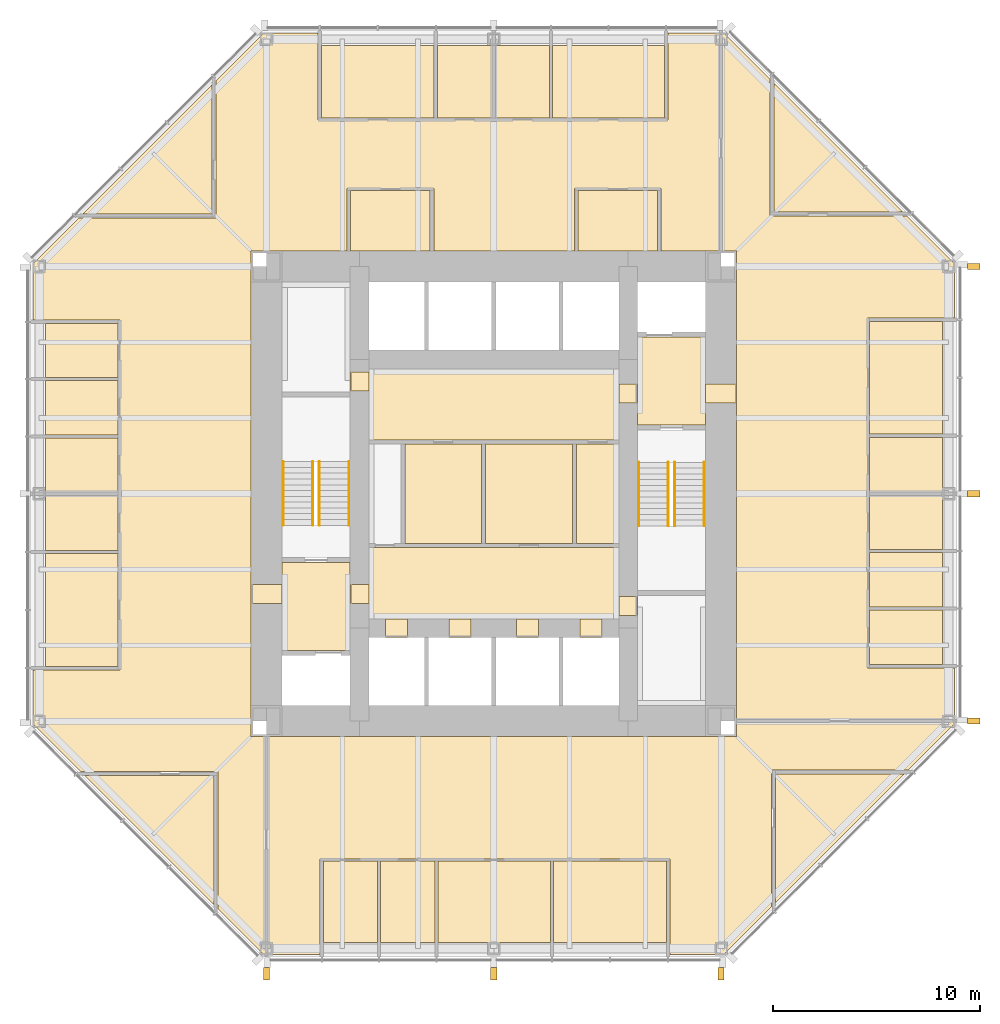
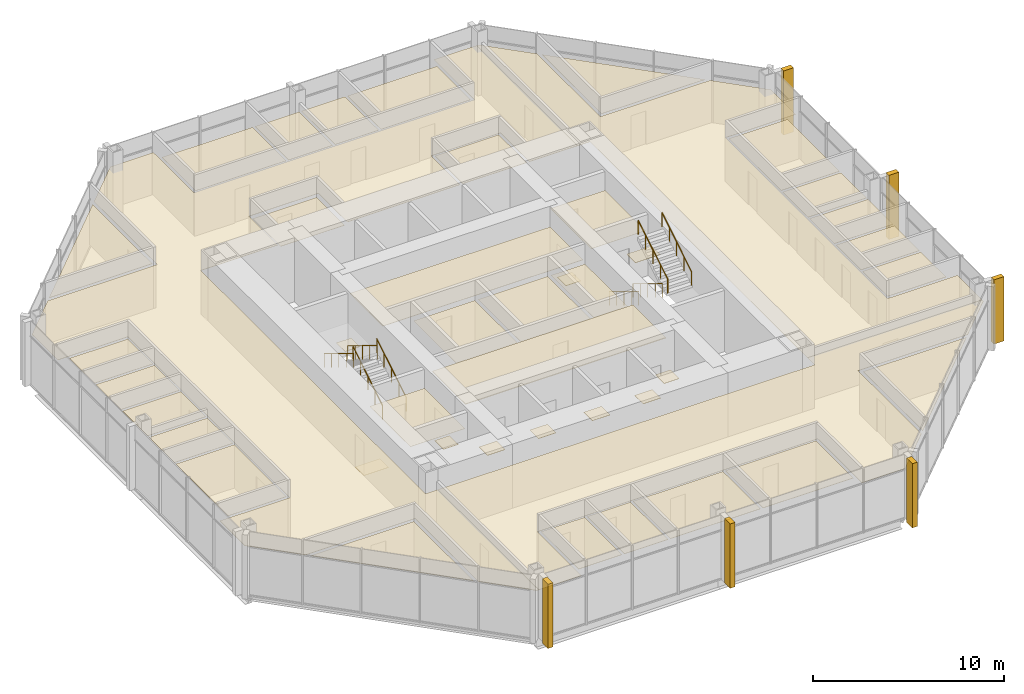
# One storey, part 12 of 12: 50 coverings, 8 railings.
"""IFC4 building model written with IfcOpenShell, lengths in metres."""

import ifcopenshell
import ifcopenshell.guid

model = None  # the IFC model being written
_history = None  # IfcOwnerHistory: only IFC2X3 demands one
_inside = {}  # id of a spatial element -> (the spatial element, [elements in it])
_under = {}  # id of a project, library or spatial element -> (it, [spatial elements below it])
_declared = {}  # id of a project -> (the project, [libraries it declares])
_typed = {}  # id of a type object -> (the type object, [elements of that type])
_made_of = {}  # id of a material, layer set ... -> (it, [elements and type objects made of it])


def new_model(schema):
    """Start an empty IFC model of exactly this schema.

    Asked for "IFC4X3", IfcOpenShell would pick the latest addendum, in which some entities
    have other attributes; the version numbers below select the first issue.
    IFC2X3 requires an IfcOwnerHistory on every rooted entity: one is made here for all.
    """
    global model, _history
    if schema == "IFC4X3":
        model = ifcopenshell.file(schema_version=(4, 3, 0, 0))
    else:
        model = ifcopenshell.file(schema=schema)
    _inside.clear()
    _under.clear()
    _declared.clear()
    _typed.clear()
    _made_of.clear()
    _history = None
    if model.schema == "IFC2X3":
        org = make("IfcOrganization", Name="unknown")
        user = make(
            "IfcPersonAndOrganization",
            ThePerson=make("IfcPerson", FamilyName="unknown"),
            TheOrganization=org,
        )
        app = make(
            "IfcApplication",
            ApplicationDeveloper=org,
            Version="unknown",
            ApplicationFullName="unknown",
            ApplicationIdentifier="unknown",
        )
        _history = make(
            "IfcOwnerHistory",
            OwningUser=user,
            OwningApplication=app,
            ChangeAction="ADDED",
            CreationDate=0,
        )
    return model


def make(cls, **values):
    """One entity of the class cls with the attributes given. An attribute that is None is left unset."""
    return model.create_entity(
        cls, **{name: value for name, value in values.items() if value is not None}
    )


def rooted(cls, **values):
    """An entity with a GlobalId (a new one), such as an element, a storey or a relation."""
    return make(cls, GlobalId=ifcopenshell.guid.new(), OwnerHistory=_history, **values)


def si_unit(unit_type, name, prefix=None):
    """IfcSIUnit, for example si_unit("LENGTHUNIT", "METRE", prefix="MILLI")."""
    return make("IfcSIUnit", UnitType=unit_type, Prefix=prefix, Name=name)


def assignment(units):
    """IfcUnitAssignment: the units of a project."""
    return None if units is None else make("IfcUnitAssignment", Units=units)


def point(xyz):
    """IfcCartesianPoint."""
    return None if xyz is None else make("IfcCartesianPoint", Coordinates=xyz)


def direction(xyz):
    """IfcDirection."""
    return None if xyz is None else make("IfcDirection", DirectionRatios=xyz)


def frame(location, z_axis=None, x_axis=None):
    """IfcAxis2Placement3D, a coordinate frame: its origin and axes. An axis left out is left unset."""
    return make(
        "IfcAxis2Placement3D",
        Location=point(location),
        Axis=direction(z_axis),
        RefDirection=direction(x_axis),
    )


def frame_2d(location, x_axis=None):
    """IfcAxis2Placement2D, a coordinate frame in the plane: its origin and x axis."""
    return make(
        "IfcAxis2Placement2D", Location=point(location), RefDirection=direction(x_axis)
    )


def origin():
    """The frame at (0, 0, 0) with its axes left unset."""
    return frame((0.0, 0.0, 0.0))


def origin_2d():
    """The frame at (0, 0) in the plane with its x axis left unset."""
    return frame_2d((0.0, 0.0))


def place(relative_to, where):
    """IfcLocalPlacement: puts the frame where relative to a parent placement (None: the world)."""
    return make(
        "IfcLocalPlacement", PlacementRelTo=relative_to, RelativePlacement=where
    )


def context(
    kind, dimensions, precision=None, world=None, true_north=None, identifier=None
):
    """IfcGeometricRepresentationContext, for example the 3D "Model" context."""
    return make(
        "IfcGeometricRepresentationContext",
        ContextIdentifier=identifier,
        ContextType=kind,
        CoordinateSpaceDimension=dimensions,
        Precision=precision,
        WorldCoordinateSystem=world,
        TrueNorth=true_north,
    )


def subcontext(parent, identifier, kind, view, scale=None):
    """IfcGeometricRepresentationSubContext, for example "Body" below "Model"."""
    return make(
        "IfcGeometricRepresentationSubContext",
        ContextIdentifier=identifier,
        ContextType=kind,
        ParentContext=parent,
        TargetScale=scale,
        TargetView=view,
    )


def project(units=None, contexts=None):
    """IfcProject with its units and contexts."""
    return rooted(
        "IfcProject",
        Name="project",
        RepresentationContexts=contexts,
        UnitsInContext=assignment(units),
    )


def spatial(cls, under=None, at=None, **own):
    """A site, building, storey or space (cls), placed at a placement, below another one or the project."""
    s = rooted(cls, ObjectPlacement=at, **own)
    if under is not None:
        _under.setdefault(under.id(), (under, []))[1].append(s)
    return s


def polyline(points):
    """IfcPolyline through the points."""
    return make("IfcPolyline", Points=[point(p) for p in points])


def profile(cls, at=None, kind="AREA", **sizes):
    """A parametric profile (cls). Its sizes go by their IFC names, for example OverallWidth=200.0."""
    return make(cls, ProfileType=kind, Position=at, **sizes)


def rectangle(**sizes):
    """IfcRectangleProfileDef."""
    return profile("IfcRectangleProfileDef", **sizes)


def circle(**sizes):
    """IfcCircleProfileDef."""
    return profile("IfcCircleProfileDef", **sizes)


def outline(outer, holes=None, kind="AREA"):
    """IfcArbitraryClosedProfileDef: a profile drawn as a closed curve; with holes, ...WithVoids."""
    if holes is None:
        return make("IfcArbitraryClosedProfileDef", ProfileType=kind, OuterCurve=outer)
    return make(
        "IfcArbitraryProfileDefWithVoids",
        ProfileType=kind,
        OuterCurve=outer,
        InnerCurves=holes,
    )


def extrude(swept, where, along, depth):
    """IfcExtrudedAreaSolid: the profile swept, set in the frame where, extruded along a direction by depth."""
    return make(
        "IfcExtrudedAreaSolid",
        SweptArea=swept,
        Position=where,
        ExtrudedDirection=direction(along),
        Depth=depth,
    )


def shape(context_of_items, identifier, shape_type, items):
    """IfcShapeRepresentation: the items that make up one representation, for example the "Body"."""
    return make(
        "IfcShapeRepresentation",
        ContextOfItems=context_of_items,
        RepresentationIdentifier=identifier,
        RepresentationType=shape_type,
        Items=items,
    )


def material(Name=None, Category=None):
    """IfcMaterial."""
    return make("IfcMaterial", Name=Name, Category=Category)


def layer(
    of_material, thickness, ventilated=None, Name=None, Category=None, Priority=None
):
    """IfcMaterialLayer: one layer of a wall or slab, of a material (None: an air gap)."""
    return make(
        "IfcMaterialLayer",
        Material=of_material,
        LayerThickness=thickness,
        IsVentilated=ventilated,
        Name=Name,
        Category=Category,
        Priority=Priority,
    )


def layer_set(layers, Name=None):
    """IfcMaterialLayerSet."""
    return make("IfcMaterialLayerSet", MaterialLayers=layers, LayerSetName=Name)


def made_of(thing, what):
    """Note that an element or type object is made of a material, layer set ...; save() writes the relation."""
    if what is not None:
        _made_of.setdefault(what.id(), (what, []))[1].append(thing)
    return thing


def type_object(cls, material=None, **own):
    """A type object (cls), such as IfcWallType, which elements share."""
    return made_of(rooted(cls, **own), material)


def element(
    cls,
    number,
    at=None,
    inside=None,
    cuts=None,
    type_object=None,
    material=None,
    context=None,
    identifier="Body",
    shape_type=None,
    held_by="IfcProductDefinitionShape",
    body=None,
    shapes=None,
    **own,
):
    """One element of the class cls, such as IfcWall. Its Tag is "e" and its number.

    at: its placement. inside: the storey or other place that contains it. cuts: it is an
    opening in that element (IfcRelVoidsElement). A single representation is given by context,
    identifier, shape_type and body (its items); several are given by shapes. held_by: the class
    of the entity that holds the representations. save() writes the other relations.
    """
    e = rooted(cls, Tag="e%d" % number, ObjectPlacement=at, **own)
    if body is not None:
        shapes = [shape(context, identifier, shape_type, body)]
    if shapes is not None:
        e.Representation = make(held_by, Representations=shapes)
    if inside is not None:
        _inside.setdefault(inside.id(), (inside, []))[1].append(e)
    if cuts is not None:
        rooted(
            "IfcRelVoidsElement", RelatingBuildingElement=cuts, RelatedOpeningElement=e
        )
    if type_object is not None:
        _typed.setdefault(type_object.id(), (type_object, []))[1].append(e)
    return made_of(e, material)


def aggregate(whole, parts):
    """IfcRelAggregates: a whole, such as a stair, and the parts it consists of."""
    return rooted("IfcRelAggregates", RelatingObject=whole, RelatedObjects=parts)


def save(model, path):
    """Write the relations noted so far, then the file.

    IfcRelAggregates (storeys below a building ...), IfcRelContainedInSpatialStructure (elements
    in a storey), IfcRelDefinesByType, IfcRelAssociatesMaterial and IfcRelDeclares: one each for
    every whole, place, type object, material and project.
    """
    for whole, parts in _under.values():
        aggregate(whole, parts)
    for where, things in _inside.values():
        rooted(
            "IfcRelContainedInSpatialStructure",
            RelatedElements=things,
            RelatingStructure=where,
        )
    for kind, things in _typed.values():
        rooted("IfcRelDefinesByType", RelatedObjects=things, RelatingType=kind)
    for what, things in _made_of.values():
        rooted("IfcRelAssociatesMaterial", RelatedObjects=things, RelatingMaterial=what)
    for by, libraries in _declared.values():
        rooted("IfcRelDeclares", RelatingContext=by, RelatedDefinitions=libraries)
    model.write(path)


model = new_model("IFC4")

# Units and contexts
model_context = context("Model", 3, precision=1e-05, world=origin(), true_north=direction((0.0, 1.0)))
body_context = subcontext(model_context, "Body", "Model", "MODEL_VIEW")
ifc_project = project(units=[si_unit("LENGTHUNIT", "METRE"), si_unit("AREAUNIT", "SQUARE_METRE"), si_unit("VOLUMEUNIT", "CUBIC_METRE"), si_unit("PLANEANGLEUNIT", "RADIAN"), si_unit("MASSUNIT", "GRAM", prefix="KILO")], contexts=[model_context])

# Site, building, storey
site_placement = place(None, origin())
site = spatial("IfcSite", under=ifc_project, at=site_placement, CompositionType="ELEMENT")
building_placement = place(site_placement, origin())
building = spatial("IfcBuilding", under=site, at=building_placement, Name="Trevanion Tower", CompositionType="ELEMENT")
storey_placement = place(building_placement, frame((0.0, 0.0, 162.300048828125)))
storey = spatial("IfcBuildingStorey", under=building, at=storey_placement, Name="L38", CompositionType="ELEMENT", Elevation=162.300048828125)

# Coverings
ifc_material_1 = material(Name="Fibrous plaster coffers on suspended steel grid", Category="steel")
ifc_layer_1 = layer(ifc_material_1, 0.050048828125)
ifc_layer_set_1 = layer_set([ifc_layer_1], Name="CL1 coffered fibrous plaster ceiling 50")
covering_type_1 = type_object("IfcCoveringType", Name="CL1 coffered fibrous plaster ceiling 50", PredefinedType="CEILING", material=ifc_layer_set_1)
covering_1_placement = place(storey_placement, frame((0.0, 0.0, 3.0)))
element("IfcCovering", 1, at=covering_1_placement, inside=storey, type_object=covering_type_1, Name="CL1 L38-LBS", PredefinedType="CEILING", context=body_context, shape_type="SweptSolid", body=[
    extrude(outline(polyline([(6.050048828125, -6.050048828125), (6.050048828125, -2.60009765625), (-6.050048828125, -2.60009765625), (-6.050048828125, -6.050048828125), (6.050048828125, -6.050048828125)])), origin(), (0.0, 0.0, 1.0), 0.050048828125),
])
ifc_material_2 = material(Name="Mineral fibre acoustic tiles in exposed grid", Category="mineral fibre")
ifc_layer_2 = layer(ifc_material_2, 0.02001953125)
ifc_layer_set_2 = layer_set([ifc_layer_2], Name="CL2 acoustic tile ceiling 20")
covering_type_2 = type_object("IfcCoveringType", Name="CL2 acoustic tile ceiling 20", PredefinedType="CEILING", material=ifc_layer_set_2)
covering_2_placement = place(storey_placement, frame((0.0, 0.0, 2.75)))
element("IfcCovering", 2, at=covering_2_placement, inside=storey, type_object=covering_type_2, Name="CL2 L38-LBN", PredefinedType="CEILING", context=body_context, shape_type="SweptSolid", body=[
    extrude(outline(polyline([(6.050048828125, 2.60009765625), (6.050048828125, 6.050048828125), (-6.050048828125, 6.050048828125), (-6.050048828125, 2.60009765625), (6.050048828125, 2.60009765625)])), origin(), (0.0, 0.0, 1.0), 0.02001953125),
])
covering_3_placement = place(storey_placement, frame((0.0, 0.0, 2.75)))
element("IfcCovering", 3, at=covering_3_placement, inside=storey, type_object=covering_type_2, Name="CL2 L38-OF", PredefinedType="CEILING", context=body_context, shape_type="SweptSolid", body=[
    extrude(outline(polyline([(13.549072265625, 19.875244140625), (19.783203125, 13.64111328125), (13.549072265625, 13.64111328125), (13.549072265625, 19.875244140625)])), origin(), (0.0, 0.0, 1.0), 0.02001953125),
])
covering_4_placement = place(storey_placement, frame((0.0, 0.0, 2.75)))
element("IfcCovering", 4, at=covering_4_placement, inside=storey, type_object=covering_type_2, Name="CL2 L38-MR", PredefinedType="CEILING", context=body_context, shape_type="SweptSolid", body=[
    extrude(outline(polyline([(-19.875244140625, 13.549072265625), (-13.64111328125, 19.783203125), (-13.64111328125, 13.549072265625), (-19.875244140625, 13.549072265625)])), origin(), (0.0, 0.0, 1.0), 0.02001953125),
])
covering_5_placement = place(storey_placement, frame((0.0, 0.0, 2.75)))
element("IfcCovering", 5, at=covering_5_placement, inside=storey, type_object=covering_type_2, Name="CL2 L38-OF2", PredefinedType="CEILING", context=body_context, shape_type="SweptSolid", body=[
    extrude(outline(polyline([(-13.549072265625, -19.875244140625), (-19.783203125, -13.64111328125), (-13.549072265625, -13.64111328125), (-13.549072265625, -19.875244140625)])), origin(), (0.0, 0.0, 1.0), 0.02001953125),
])
covering_6_placement = place(storey_placement, frame((0.0, 0.0, 2.75)))
element("IfcCovering", 6, at=covering_6_placement, inside=storey, type_object=covering_type_2, Name="CL2 L38-MR2", PredefinedType="CEILING", context=body_context, shape_type="SweptSolid", body=[
    extrude(outline(polyline([(19.875244140625, -13.549072265625), (13.64111328125, -19.783203125), (13.64111328125, -13.549072265625), (19.875244140625, -13.549072265625)])), origin(), (0.0, 0.0, 1.0), 0.02001953125),
])
covering_7_placement = place(storey_placement, frame((0.0, 0.0, 2.75)))
element("IfcCovering", 7, at=covering_7_placement, inside=storey, type_object=covering_type_2, Name="CL2 L38-OF3", PredefinedType="CEILING", context=body_context, shape_type="SweptSolid", body=[
    extrude(outline(polyline([(18.175048828125, -8.248046875), (18.175048828125, -5.6240234375), (21.699951171875, -5.6240234375), (21.699951171875, -8.248046875), (18.175048828125, -8.248046875)])), origin(), (0.0, 0.0, 1.0), 0.02001953125),
])
covering_8_placement = place(storey_placement, frame((0.0, 0.0, 2.75)))
element("IfcCovering", 8, at=covering_8_placement, inside=storey, type_object=covering_type_2, Name="CL2 L38-OF4", PredefinedType="CEILING", context=body_context, shape_type="SweptSolid", body=[
    extrude(outline(polyline([(18.175048828125, -5.47412109375), (18.175048828125, -2.85009765625), (21.699951171875, -2.85009765625), (21.699951171875, -5.47412109375), (18.175048828125, -5.47412109375)])), origin(), (0.0, 0.0, 1.0), 0.02001953125),
])
covering_9_placement = place(storey_placement, frame((0.0, 0.0, 2.75)))
element("IfcCovering", 9, at=covering_9_placement, inside=storey, type_object=covering_type_2, Name="CL2 L38-OF5", PredefinedType="CEILING", context=body_context, shape_type="SweptSolid", body=[
    extrude(outline(polyline([(18.175048828125, -2.699951171875), (18.175048828125, -0.074951171875), (21.699951171875, -0.074951171875), (21.699951171875, -2.699951171875), (18.175048828125, -2.699951171875)])), origin(), (0.0, 0.0, 1.0), 0.02001953125),
])
covering_10_placement = place(storey_placement, frame((0.0, 0.0, 2.75)))
element("IfcCovering", 10, at=covering_10_placement, inside=storey, type_object=covering_type_2, Name="CL2 L38-OF6", PredefinedType="CEILING", context=body_context, shape_type="SweptSolid", body=[
    extrude(outline(polyline([(18.175048828125, 0.074951171875), (18.175048828125, 2.73193359375), (21.699951171875, 2.73193359375), (21.699951171875, 0.074951171875), (18.175048828125, 0.074951171875)])), origin(), (0.0, 0.0, 1.0), 0.02001953125),
])
covering_11_placement = place(storey_placement, frame((0.0, 0.0, 2.75)))
element("IfcCovering", 11, at=covering_11_placement, inside=storey, type_object=covering_type_2, Name="CL2 L38-MR3", PredefinedType="CEILING", context=body_context, shape_type="SweptSolid", body=[
    extrude(outline(polyline([(18.175048828125, 2.882080078125), (18.175048828125, 8.345947265625), (21.699951171875, 8.345947265625), (21.699951171875, 2.882080078125), (18.175048828125, 2.882080078125)])), origin(), (0.0, 0.0, 1.0), 0.02001953125),
])
covering_12_placement = place(storey_placement, frame((0.0, 0.0, 2.75)))
element("IfcCovering", 12, at=covering_12_placement, inside=storey, type_object=covering_type_2, Name="CL2 L38-MR4", PredefinedType="CEILING", context=body_context, shape_type="SweptSolid", body=[
    extrude(outline(polyline([(8.248046875, 18.175048828125), (2.85009765625, 18.175048828125), (2.85009765625, 21.699951171875), (8.248046875, 21.699951171875), (8.248046875, 18.175048828125)])), origin(), (0.0, 0.0, 1.0), 0.02001953125),
])
covering_13_placement = place(storey_placement, frame((0.0, 0.0, 2.75)))
element("IfcCovering", 13, at=covering_13_placement, inside=storey, type_object=covering_type_2, Name="CL2 L38-OF7", PredefinedType="CEILING", context=body_context, shape_type="SweptSolid", body=[
    extrude(outline(polyline([(2.699951171875, 18.175048828125), (0.074951171875, 18.175048828125), (0.074951171875, 21.699951171875), (2.699951171875, 21.699951171875), (2.699951171875, 18.175048828125)])), origin(), (0.0, 0.0, 1.0), 0.02001953125),
])
covering_14_placement = place(storey_placement, frame((0.0, 0.0, 2.75)))
element("IfcCovering", 14, at=covering_14_placement, inside=storey, type_object=covering_type_2, Name="CL2 L38-OF8", PredefinedType="CEILING", context=body_context, shape_type="SweptSolid", body=[
    extrude(outline(polyline([(-0.074951171875, 18.175048828125), (-2.73193359375, 18.175048828125), (-2.73193359375, 21.699951171875), (-0.074951171875, 21.699951171875), (-0.074951171875, 18.175048828125)])), origin(), (0.0, 0.0, 1.0), 0.02001953125),
])
covering_15_placement = place(storey_placement, frame((0.0, 0.0, 2.75)))
element("IfcCovering", 15, at=covering_15_placement, inside=storey, type_object=covering_type_2, Name="CL2 L38-MR5", PredefinedType="CEILING", context=body_context, shape_type="SweptSolid", body=[
    extrude(outline(polyline([(-2.882080078125, 18.175048828125), (-8.345947265625, 18.175048828125), (-8.345947265625, 21.699951171875), (-2.882080078125, 21.699951171875), (-2.882080078125, 18.175048828125)])), origin(), (0.0, 0.0, 1.0), 0.02001953125),
])
covering_16_placement = place(storey_placement, frame((0.0, 0.0, 2.75)))
element("IfcCovering", 16, at=covering_16_placement, inside=storey, type_object=covering_type_2, Name="CL2 L38-OF9", PredefinedType="CEILING", context=body_context, shape_type="SweptSolid", body=[
    extrude(outline(polyline([(-18.175048828125, 8.248046875), (-18.175048828125, 5.6240234375), (-21.699951171875, 5.6240234375), (-21.699951171875, 8.248046875), (-18.175048828125, 8.248046875)])), origin(), (0.0, 0.0, 1.0), 0.02001953125),
])
covering_17_placement = place(storey_placement, frame((0.0, 0.0, 2.75)))
element("IfcCovering", 17, at=covering_17_placement, inside=storey, type_object=covering_type_2, Name="CL2 L38-OF10", PredefinedType="CEILING", context=body_context, shape_type="SweptSolid", body=[
    extrude(outline(polyline([(-18.175048828125, 5.47412109375), (-18.175048828125, 2.85009765625), (-21.699951171875, 2.85009765625), (-21.699951171875, 5.47412109375), (-18.175048828125, 5.47412109375)])), origin(), (0.0, 0.0, 1.0), 0.02001953125),
])
covering_18_placement = place(storey_placement, frame((0.0, 0.0, 2.75)))
element("IfcCovering", 18, at=covering_18_placement, inside=storey, type_object=covering_type_2, Name="CL2 L38-OF11", PredefinedType="CEILING", context=body_context, shape_type="SweptSolid", body=[
    extrude(outline(polyline([(-18.175048828125, 2.699951171875), (-18.175048828125, 0.074951171875), (-21.699951171875, 0.074951171875), (-21.699951171875, 2.699951171875), (-18.175048828125, 2.699951171875)])), origin(), (0.0, 0.0, 1.0), 0.02001953125),
])
covering_19_placement = place(storey_placement, frame((0.0, 0.0, 2.75)))
element("IfcCovering", 19, at=covering_19_placement, inside=storey, type_object=covering_type_2, Name="CL2 L38-OF12", PredefinedType="CEILING", context=body_context, shape_type="SweptSolid", body=[
    extrude(outline(polyline([(-18.175048828125, -0.074951171875), (-18.175048828125, -2.73193359375), (-21.699951171875, -2.73193359375), (-21.699951171875, -0.074951171875), (-18.175048828125, -0.074951171875)])), origin(), (0.0, 0.0, 1.0), 0.02001953125),
])
covering_20_placement = place(storey_placement, frame((0.0, 0.0, 2.75)))
element("IfcCovering", 20, at=covering_20_placement, inside=storey, type_object=covering_type_2, Name="CL2 L38-MR6", PredefinedType="CEILING", context=body_context, shape_type="SweptSolid", body=[
    extrude(outline(polyline([(-18.175048828125, -2.882080078125), (-18.175048828125, -8.345947265625), (-21.699951171875, -8.345947265625), (-21.699951171875, -2.882080078125), (-18.175048828125, -2.882080078125)])), origin(), (0.0, 0.0, 1.0), 0.02001953125),
])
covering_21_placement = place(storey_placement, frame((0.0, 0.0, 2.75)))
element("IfcCovering", 21, at=covering_21_placement, inside=storey, type_object=covering_type_2, Name="CL2 L38-OF13", PredefinedType="CEILING", context=body_context, shape_type="SweptSolid", body=[
    extrude(outline(polyline([(-8.248046875, -17.77490234375), (-5.6240234375, -17.77490234375), (-5.6240234375, -21.699951171875), (-8.248046875, -21.699951171875), (-8.248046875, -17.77490234375)])), origin(), (0.0, 0.0, 1.0), 0.02001953125),
])
covering_22_placement = place(storey_placement, frame((0.0, 0.0, 2.75)))
element("IfcCovering", 22, at=covering_22_placement, inside=storey, type_object=covering_type_2, Name="CL2 L38-OF14", PredefinedType="CEILING", context=body_context, shape_type="SweptSolid", body=[
    extrude(outline(polyline([(-5.47412109375, -17.77490234375), (-2.85009765625, -17.77490234375), (-2.85009765625, -21.699951171875), (-5.47412109375, -21.699951171875), (-5.47412109375, -17.77490234375)])), origin(), (0.0, 0.0, 1.0), 0.02001953125),
])
covering_23_placement = place(storey_placement, frame((0.0, 0.0, 2.75)))
element("IfcCovering", 23, at=covering_23_placement, inside=storey, type_object=covering_type_2, Name="CL2 L38-MR7", PredefinedType="CEILING", context=body_context, shape_type="SweptSolid", body=[
    extrude(outline(polyline([(-2.699951171875, -17.77490234375), (2.73193359375, -17.77490234375), (2.73193359375, -21.699951171875), (-2.699951171875, -21.699951171875), (-2.699951171875, -17.77490234375)])), origin(), (0.0, 0.0, 1.0), 0.02001953125),
])
covering_24_placement = place(storey_placement, frame((0.0, 0.0, 2.75)))
element("IfcCovering", 24, at=covering_24_placement, inside=storey, type_object=covering_type_2, Name="CL2 L38-MR8", PredefinedType="CEILING", context=body_context, shape_type="SweptSolid", body=[
    extrude(outline(polyline([(2.882080078125, -17.77490234375), (8.345947265625, -17.77490234375), (8.345947265625, -21.699951171875), (2.882080078125, -21.699951171875), (2.882080078125, -17.77490234375)])), origin(), (0.0, 0.0, 1.0), 0.02001953125),
])
covering_25_placement = place(storey_placement, frame((0.0, 0.0, 2.75)))
element("IfcCovering", 25, at=covering_25_placement, inside=storey, type_object=covering_type_2, Name="CL2 L38-RC", PredefinedType="CEILING", context=body_context, shape_type="SweptSolid", body=[
    extrude(outline(polyline([(4.074951171875, 14.675048828125), (7.925048828125, 14.675048828125), (7.925048828125, 11.75), (4.074951171875, 11.75), (4.074951171875, 14.675048828125)])), origin(), (0.0, 0.0, 1.0), 0.02001953125),
])
covering_26_placement = place(storey_placement, frame((0.0, 0.0, 2.75)))
element("IfcCovering", 26, at=covering_26_placement, inside=storey, type_object=covering_type_2, Name="CL2 L38-OP", PredefinedType="CEILING", context=body_context, shape_type="SweptSolid", body=[
    extrude(outline(polyline([(11.75, 11.75), (11.0, 11.75), (11.0, 22.300048828125), (11.124267578125, 22.300048828125), (13.35400390625, 20.0703125), (13.35400390625, 13.446044921875), (19.978271484375, 13.446044921875), (22.300048828125, 11.124267578125), (22.300048828125, 8.51611328125), (18.080078125, 8.51611328125), (18.080078125, -8.41796875), (22.300048828125, -8.41796875), (22.300048828125, -11.0), (11.75, -11.0), (11.75, 11.75)])), origin(), (0.0, 0.0, 1.0), 0.02001953125),
])
covering_27_placement = place(storey_placement, frame((0.0, 0.0, 2.75)))
element("IfcCovering", 27, at=covering_27_placement, inside=storey, type_object=covering_type_2, Name="CL2 L38-OP2", PredefinedType="CEILING", context=body_context, shape_type="SweptSolid", body=[
    extrude(outline(polyline([(-11.0, -11.75), (-11.0, -22.300048828125), (-11.124267578125, -22.300048828125), (-13.35400390625, -20.0703125), (-13.35400390625, -13.446044921875), (-19.978271484375, -13.446044921875), (-22.300048828125, -11.124267578125), (-22.300048828125, -8.51611328125), (-18.080078125, -8.51611328125), (-18.080078125, 8.41796875), (-22.300048828125, 8.41796875), (-22.300048828125, 11.124267578125), (-20.0703125, 13.35400390625), (-13.446044921875, 13.35400390625), (-13.446044921875, 19.978271484375), (-11.124267578125, 22.300048828125), (-8.51611328125, 22.300048828125), (-8.51611328125, 18.080078125), (8.41796875, 18.080078125), (8.41796875, 22.300048828125), (11.0, 22.300048828125), (11.0, 11.75), (8.094970703125, 11.75), (8.094970703125, 14.77001953125), (3.905029296875, 14.77001953125), (3.905029296875, 11.75), (-2.905029296875, 11.75), (-2.905029296875, 14.77001953125), (-7.094970703125, 14.77001953125), (-7.094970703125, 11.75), (-11.75, 11.75), (-11.75, -11.75), (-11.0, -11.75)])), origin(), (0.0, 0.0, 1.0), 0.02001953125),
])
covering_28_placement = place(storey_placement, frame((0.0, 0.0, 2.75)))
element("IfcCovering", 28, at=covering_28_placement, inside=storey, type_object=covering_type_2, Name="CL2 L38-OP3", PredefinedType="CEILING", context=body_context, shape_type="SweptSolid", body=[
    extrude(outline(polyline([(11.75, -11.75), (11.75, -11.0), (22.300048828125, -11.0), (22.300048828125, -11.124267578125), (20.0703125, -13.35400390625), (13.446044921875, -13.35400390625), (13.446044921875, -19.978271484375), (11.124267578125, -22.300048828125), (8.51611328125, -22.300048828125), (8.51611328125, -17.679931640625), (-8.41796875, -17.679931640625), (-8.41796875, -22.300048828125), (-11.0, -22.300048828125), (-11.0, -11.75), (11.75, -11.75)])), origin(), (0.0, 0.0, 1.0), 0.02001953125),
])
ifc_material_3 = material(Name="Gypsum plasterboard on suspended metal furring", Category="gypsum")
ifc_layer_3 = layer(ifc_material_3, 0.012939453125)
ifc_layer_set_3 = layer_set([ifc_layer_3], Name="CL3 plasterboard ceiling 13")
covering_type_3 = type_object("IfcCoveringType", Name="CL3 plasterboard ceiling 13", PredefinedType="CEILING", material=ifc_layer_set_3)
covering_29_placement = place(storey_placement, frame((0.0, 0.0, 2.699951171875)))
element("IfcCovering", 29, at=covering_29_placement, inside=storey, type_object=covering_type_3, Name="CL3 L38-FV1", PredefinedType="CEILING", context=body_context, shape_type="SweptSolid", body=[
    extrude(outline(polyline([(10.25, 3.324951171875), (10.25, 7.574951171875), (6.949951171875, 7.574951171875), (6.949951171875, 3.324951171875), (10.25, 3.324951171875)])), origin(), (0.0, 0.0, 1.0), 0.012939453125),
])
covering_30_placement = place(storey_placement, frame((0.0, 0.0, 2.699951171875)))
element("IfcCovering", 30, at=covering_30_placement, inside=storey, type_object=covering_type_3, Name="CL3 L38-FV2", PredefinedType="CEILING", context=body_context, shape_type="SweptSolid", body=[
    extrude(outline(polyline([(-10.25, -3.324951171875), (-10.25, -7.574951171875), (-6.949951171875, -7.574951171875), (-6.949951171875, -3.324951171875), (-10.25, -3.324951171875)])), origin(), (0.0, 0.0, 1.0), 0.012939453125),
])
ifc_material_4 = material(Name="Moisture-resistant gypsum board on suspended metal furring", Category="gypsum")
ifc_layer_4 = layer(ifc_material_4, 0.01611328125)
ifc_layer_set_4 = layer_set([ifc_layer_4], Name="CL4 moisture-resistant board ceiling 16")
covering_type_4 = type_object("IfcCoveringType", Name="CL4 moisture-resistant board ceiling 16", PredefinedType="CEILING", material=ifc_layer_set_4)
covering_31_placement = place(storey_placement, frame((0.0, 0.0, 2.599853515625)))
element("IfcCovering", 31, at=covering_31_placement, inside=storey, type_object=covering_type_4, Name="CL4 L38-WCM", PredefinedType="CEILING", context=body_context, shape_type="SweptSolid", body=[
    extrude(outline(polyline([(-0.60009765625, -2.39990234375), (-0.60009765625, 2.39990234375), (-4.300048828125, 2.39990234375), (-4.300048828125, -2.39990234375), (-0.60009765625, -2.39990234375)])), origin(), (0.0, 0.0, 1.0), 0.01611328125),
])
covering_32_placement = place(storey_placement, frame((0.0, 0.0, 2.599853515625)))
element("IfcCovering", 32, at=covering_32_placement, inside=storey, type_object=covering_type_4, Name="CL4 L38-WCF", PredefinedType="CEILING", context=body_context, shape_type="SweptSolid", body=[
    extrude(outline(polyline([(3.800048828125, -2.39990234375), (3.800048828125, 2.39990234375), (-0.39990234375, 2.39990234375), (-0.39990234375, -2.39990234375), (3.800048828125, -2.39990234375)])), origin(), (0.0, 0.0, 1.0), 0.01611328125),
])
covering_33_placement = place(storey_placement, frame((0.0, 0.0, 2.599853515625)))
element("IfcCovering", 33, at=covering_33_placement, inside=storey, type_object=covering_type_4, Name="CL4 L38-WCA", PredefinedType="CEILING", context=body_context, shape_type="SweptSolid", body=[
    extrude(outline(polyline([(6.050048828125, -2.39990234375), (6.050048828125, 2.39990234375), (4.0, 2.39990234375), (4.0, -2.39990234375), (6.050048828125, -2.39990234375)])), origin(), (0.0, 0.0, 1.0), 0.01611328125),
])
covering_34_placement = place(storey_placement, frame((0.0, 0.0, 2.599853515625)))
element("IfcCovering", 34, at=covering_34_placement, inside=storey, type_object=covering_type_4, Name="CL4 L38-PA", PredefinedType="CEILING", context=body_context, shape_type="SweptSolid", body=[
    extrude(outline(polyline([(-6.925048828125, 14.675048828125), (-3.074951171875, 14.675048828125), (-3.074951171875, 11.75), (-6.925048828125, 11.75), (-6.925048828125, 14.675048828125)])), origin(), (0.0, 0.0, 1.0), 0.01611328125),
])
ifc_material_5 = material(Name="Cast bronze fin on aluminium carrier", Category="aluminium")
covering_type_5 = type_object("IfcCoveringType", Name="F1 bronze fin", PredefinedType="CLADDING", material=ifc_material_5)
for number, where, z_axis, x_axis, name in (
    (35, (23.22509765625, -11.0, -0.190185546875), (0.0, 0.0, 1.0), (0.0, 1.0, 0.0), "F1 L38 east -11.0"),
    (36, (23.22509765625, 0.0, -0.190185546875), (0.0, 0.0, 1.0), (0.0, 1.0, 0.0), "F1 L38 east +0.0"),
    (37, (23.22509765625, 11.0, -0.190185546875), (0.0, 0.0, 1.0), (0.0, 1.0, 0.0), "F1 L38 east +11.0"),
    (38, (-11.0, -23.22509765625, -0.190185546875), (0.0, 0.0, 1.0), (1.0, 0.0, 0.0), "F1 L38 south -11.0"),
    (39, (0.0, -23.22509765625, -0.190185546875), (0.0, 0.0, 1.0), (1.0, 0.0, 0.0), "F1 L38 south +0.0"),
    (40, (11.0, -23.22509765625, -0.190185546875), (0.0, 0.0, 1.0), (1.0, 0.0, 0.0), "F1 L38 south +11.0"),
):
    element("IfcCovering", number, at=place(storey_placement, frame(where, z_axis=z_axis, x_axis=x_axis)), inside=storey, type_object=covering_type_5, Name=name, PredefinedType="CLADDING", context=body_context, shape_type="SweptSolid", body=[
        extrude(rectangle(XDim=0.300048828125, YDim=0.60009765625, at=origin_2d()), origin(), (0.0, 0.0, 1.0), 4.10009765625),
    ])
ifc_material_6 = material(Name="Terrazzo, brass divider strips", Category="stone")
ifc_layer_5 = layer(ifc_material_6, 0.02001953125)
ifc_layer_set_5 = layer_set([ifc_layer_5], Name="FF1 terrazzo flooring")
covering_type_6 = type_object("IfcCoveringType", Name="FF1 terrazzo flooring", PredefinedType="FLOORING", material=ifc_layer_set_5)
covering_35_placement = place(storey_placement, origin())
element("IfcCovering", 41, at=covering_35_placement, inside=storey, type_object=covering_type_6, Name="FF1 threshold 38-001", PredefinedType="FLOORING", context=body_context, shape_type="SweptSolid", body=[
    extrude(outline(polyline([(11.75, 4.392578125), (11.75, 5.3076171875), (10.25, 5.3076171875), (10.25, 4.392578125), (11.75, 4.392578125)])), origin(), (0.0, 0.0, 1.0), 0.02001953125),
])
covering_36_placement = place(storey_placement, origin())
element("IfcCovering", 42, at=covering_36_placement, inside=storey, type_object=covering_type_6, Name="FF1 threshold 38-002", PredefinedType="FLOORING", context=body_context, shape_type="SweptSolid", body=[
    extrude(outline(polyline([(-11.75, -4.392578125), (-11.75, -5.3076171875), (-10.25, -5.3076171875), (-10.25, -4.392578125), (-11.75, -4.392578125)])), origin(), (0.0, 0.0, 1.0), 0.02001953125),
])
covering_37_placement = place(storey_placement, origin())
element("IfcCovering", 43, at=covering_37_placement, inside=storey, type_object=covering_type_6, Name="FF1 threshold 38-003", PredefinedType="FLOORING", context=body_context, shape_type="SweptSolid", body=[
    extrude(outline(polyline([(6.949951171875, 4.392578125), (6.949951171875, 5.3076171875), (6.050048828125, 5.3076171875), (6.050048828125, 4.392578125), (6.949951171875, 4.392578125)])), origin(), (0.0, 0.0, 1.0), 0.02001953125),
])
covering_38_placement = place(storey_placement, origin())
element("IfcCovering", 44, at=covering_38_placement, inside=storey, type_object=covering_type_6, Name="FF1 threshold 38-004", PredefinedType="FLOORING", context=body_context, shape_type="SweptSolid", body=[
    extrude(outline(polyline([(-6.949951171875, -4.392578125), (-6.949951171875, -5.3076171875), (-6.050048828125, -5.3076171875), (-6.050048828125, -4.392578125), (-6.949951171875, -4.392578125)])), origin(), (0.0, 0.0, 1.0), 0.02001953125),
])
covering_39_placement = place(storey_placement, origin())
element("IfcCovering", 45, at=covering_39_placement, inside=storey, type_object=covering_type_6, Name="FF1 threshold 38-009", PredefinedType="FLOORING", context=body_context, shape_type="SweptSolid", body=[
    extrude(outline(polyline([(6.949951171875, -5.889892578125), (6.949951171875, -4.97509765625), (6.050048828125, -4.97509765625), (6.050048828125, -5.889892578125), (6.949951171875, -5.889892578125)])), origin(), (0.0, 0.0, 1.0), 0.02001953125),
])
covering_40_placement = place(storey_placement, origin())
element("IfcCovering", 46, at=covering_40_placement, inside=storey, type_object=covering_type_6, Name="FF1 threshold 38-010", PredefinedType="FLOORING", context=body_context, shape_type="SweptSolid", body=[
    extrude(outline(polyline([(-6.949951171875, 5.889892578125), (-6.949951171875, 4.97509765625), (-6.050048828125, 4.97509765625), (-6.050048828125, 5.889892578125), (-6.949951171875, 5.889892578125)])), origin(), (0.0, 0.0, 1.0), 0.02001953125),
])
covering_41_placement = place(storey_placement, origin())
element("IfcCovering", 47, at=covering_41_placement, inside=storey, type_object=covering_type_6, Name="FF1 threshold 38-011", PredefinedType="FLOORING", context=body_context, shape_type="SweptSolid", body=[
    extrude(outline(polyline([(-5.2333984375, -6.949951171875), (-4.16650390625, -6.949951171875), (-4.16650390625, -6.050048828125), (-5.2333984375, -6.050048828125), (-5.2333984375, -6.949951171875)])), origin(), (0.0, 0.0, 1.0), 0.02001953125),
])
covering_42_placement = place(storey_placement, origin())
element("IfcCovering", 48, at=covering_42_placement, inside=storey, type_object=covering_type_6, Name="FF1 threshold 38-012", PredefinedType="FLOORING", context=body_context, shape_type="SweptSolid", body=[
    extrude(outline(polyline([(-2.158447265625, -6.949951171875), (-1.091552734375, -6.949951171875), (-1.091552734375, -6.050048828125), (-2.158447265625, -6.050048828125), (-2.158447265625, -6.949951171875)])), origin(), (0.0, 0.0, 1.0), 0.02001953125),
])
covering_43_placement = place(storey_placement, origin())
element("IfcCovering", 49, at=covering_43_placement, inside=storey, type_object=covering_type_6, Name="FF1 threshold 38-013", PredefinedType="FLOORING", context=body_context, shape_type="SweptSolid", body=[
    extrude(outline(polyline([(1.091552734375, -6.949951171875), (2.158447265625, -6.949951171875), (2.158447265625, -6.050048828125), (1.091552734375, -6.050048828125), (1.091552734375, -6.949951171875)])), origin(), (0.0, 0.0, 1.0), 0.02001953125),
])
covering_44_placement = place(storey_placement, origin())
element("IfcCovering", 50, at=covering_44_placement, inside=storey, type_object=covering_type_6, Name="FF1 threshold 38-014", PredefinedType="FLOORING", context=body_context, shape_type="SweptSolid", body=[
    extrude(outline(polyline([(4.16650390625, -6.949951171875), (5.2333984375, -6.949951171875), (5.2333984375, -6.050048828125), (4.16650390625, -6.050048828125), (4.16650390625, -6.949951171875)])), origin(), (0.0, 0.0, 1.0), 0.02001953125),
])

# Railings
ifc_material_7 = material(Name="Stainless steel tube 40 mm", Category="steel")
railing_type = type_object("IfcRailingType", Name="HR1 handrail", PredefinedType="HANDRAIL", material=ifc_material_7)
for number, where, name in (
    (51, (7.010009765625, 1.52490234375, 0.170654296875), "HR1 ST1 L38 flight 1"),
    (52, (8.43994140625, 1.52490234375, 0.170654296875), "HR1 ST1 L38 flight 1"),
):
    element("IfcRailing", number, at=place(storey_placement, frame(where)), inside=storey, type_object=railing_type, Name=name, PredefinedType="HANDRAIL", context=body_context, shape_type="SweptSolid", body=[
        extrude(circle(Radius=0.02001953125, at=origin_2d()), frame((0.0, 0.0, 0.8798828125), z_axis=(0.0, -0.853617861917, 0.520899746416), x_axis=(1.0, 0.0, 0.0)), (0.0, 0.0, 1.0), 3.60791015625),
        extrude(circle(Radius=0.01513671875, at=origin_2d()), origin(), (0.0, 0.0, 1.0), 0.85986328125),
        extrude(circle(Radius=0.01513671875, at=origin_2d()), frame((0.0, -0.77001953125, 0.4697265625)), (0.0, 0.0, 1.0), 0.85986328125),
        extrude(circle(Radius=0.01513671875, at=origin_2d()), frame((0.0, -1.5400390625, 0.939697265625)), (0.0, 0.0, 1.0), 0.85986328125),
        extrude(circle(Radius=0.01513671875, at=origin_2d()), frame((0.0, -2.309814453125, 1.40966796875)), (0.0, 0.0, 1.0), 0.85986328125),
        extrude(circle(Radius=0.01513671875, at=origin_2d()), frame((0.0, -3.079833984375, 1.87939453125)), (0.0, 0.0, 1.0), 0.85986328125),
    ])
for number, where, name in (
    (53, (8.760009765625, -1.554931640625, 2.220703125), "HR1 ST1 L38 flight 2"),
    (54, (10.18994140625, -1.554931640625, 2.220703125), "HR1 ST1 L38 flight 2"),
):
    element("IfcRailing", number, at=place(storey_placement, frame(where)), inside=storey, type_object=railing_type, Name=name, PredefinedType="HANDRAIL", context=body_context, shape_type="SweptSolid", body=[
        extrude(circle(Radius=0.02001953125, at=origin_2d()), frame((0.0, 0.0, 0.8798828125), z_axis=(0.0, 0.853647949592, 0.520850437417), x_axis=(-1.0, 0.0, 0.0)), (0.0, 0.0, 1.0), 3.60791015625),
        extrude(circle(Radius=0.01513671875, at=origin_2d()), origin(), (0.0, 0.0, 1.0), 0.85986328125),
        extrude(circle(Radius=0.01513671875, at=origin_2d()), frame((0.0, 0.77001953125, 0.4697265625)), (0.0, 0.0, 1.0), 0.85986328125),
        extrude(circle(Radius=0.01513671875, at=origin_2d()), frame((0.0, 1.5400390625, 0.939453125)), (0.0, 0.0, 1.0), 0.85986328125),
        extrude(circle(Radius=0.01513671875, at=origin_2d()), frame((0.0, 2.309814453125, 1.409423828125)), (0.0, 0.0, 1.0), 0.85986328125),
        extrude(circle(Radius=0.01513671875, at=origin_2d()), frame((0.0, 3.079833984375, 1.879150390625)), (0.0, 0.0, 1.0), 0.85986328125),
    ])
for number, where, name in (
    (55, (-7.010009765625, -1.52490234375, 0.170654296875), "HR1 ST2 L38 flight 1"),
    (56, (-8.43994140625, -1.52490234375, 0.170654296875), "HR1 ST2 L38 flight 1"),
):
    element("IfcRailing", number, at=place(storey_placement, frame(where)), inside=storey, type_object=railing_type, Name=name, PredefinedType="HANDRAIL", context=body_context, shape_type="SweptSolid", body=[
        extrude(circle(Radius=0.02001953125, at=origin_2d()), frame((0.0, 0.0, 0.8798828125), z_axis=(0.0, 0.853617861917, 0.520899746416), x_axis=(-1.0, 0.0, 0.0)), (0.0, 0.0, 1.0), 3.60791015625),
        extrude(circle(Radius=0.01513671875, at=origin_2d()), origin(), (0.0, 0.0, 1.0), 0.85986328125),
        extrude(circle(Radius=0.01513671875, at=origin_2d()), frame((0.0, 0.77001953125, 0.4697265625)), (0.0, 0.0, 1.0), 0.85986328125),
        extrude(circle(Radius=0.01513671875, at=origin_2d()), frame((0.0, 1.5400390625, 0.939697265625)), (0.0, 0.0, 1.0), 0.85986328125),
        extrude(circle(Radius=0.01513671875, at=origin_2d()), frame((0.0, 2.309814453125, 1.40966796875)), (0.0, 0.0, 1.0), 0.85986328125),
        extrude(circle(Radius=0.01513671875, at=origin_2d()), frame((0.0, 3.079833984375, 1.87939453125)), (0.0, 0.0, 1.0), 0.85986328125),
    ])
for number, where, name in (
    (57, (-8.760009765625, 1.554931640625, 2.220703125), "HR1 ST2 L38 flight 2"),
    (58, (-10.18994140625, 1.554931640625, 2.220703125), "HR1 ST2 L38 flight 2"),
):
    element("IfcRailing", number, at=place(storey_placement, frame(where)), inside=storey, type_object=railing_type, Name=name, PredefinedType="HANDRAIL", context=body_context, shape_type="SweptSolid", body=[
        extrude(circle(Radius=0.02001953125, at=origin_2d()), frame((0.0, 0.0, 0.8798828125), z_axis=(0.0, -0.853647949592, 0.520850437417), x_axis=(1.0, 0.0, 0.0)), (0.0, 0.0, 1.0), 3.60791015625),
        extrude(circle(Radius=0.01513671875, at=origin_2d()), origin(), (0.0, 0.0, 1.0), 0.85986328125),
        extrude(circle(Radius=0.01513671875, at=origin_2d()), frame((0.0, -0.77001953125, 0.4697265625)), (0.0, 0.0, 1.0), 0.85986328125),
        extrude(circle(Radius=0.01513671875, at=origin_2d()), frame((0.0, -1.5400390625, 0.939453125)), (0.0, 0.0, 1.0), 0.85986328125),
        extrude(circle(Radius=0.01513671875, at=origin_2d()), frame((0.0, -2.309814453125, 1.409423828125)), (0.0, 0.0, 1.0), 0.85986328125),
        extrude(circle(Radius=0.01513671875, at=origin_2d()), frame((0.0, -3.079833984375, 1.879150390625)), (0.0, 0.0, 1.0), 0.85986328125),
    ])

save(model, "model.ifc")
